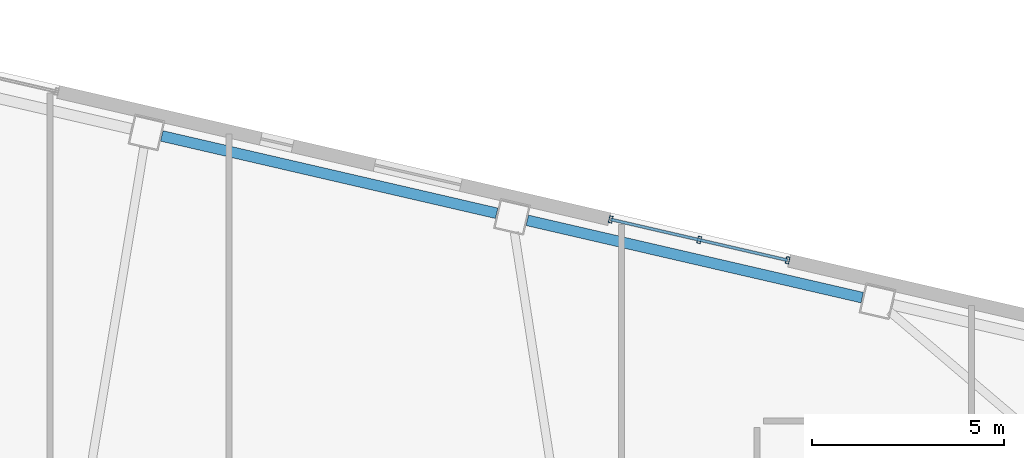
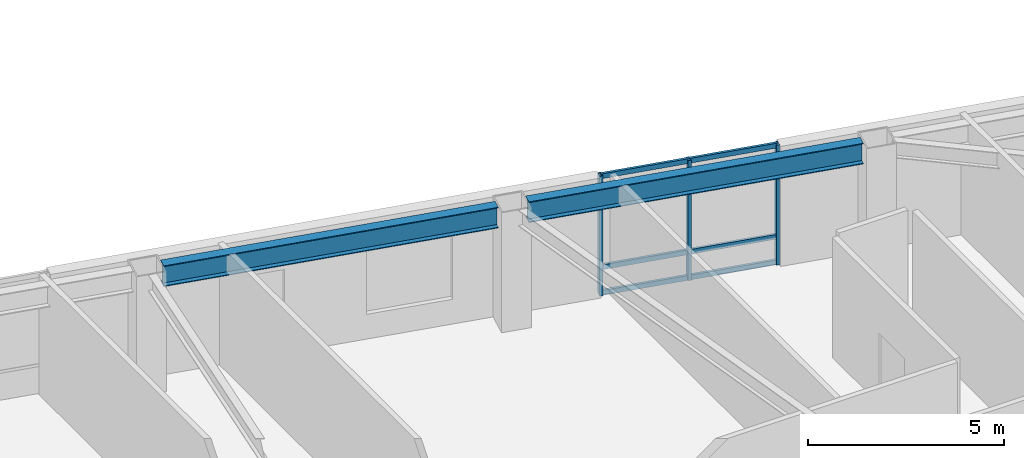
# One storey, part 8 of 21: 6 members, 2 beams, 1 element without a shape of its own.
"""IFC4 building model written with IfcOpenShell, lengths in metres."""

from ifc_helpers import new_model, si_unit, direction, frame, origin, origin_2d, place, context, subcontext, project, spatial, hollow_rectangle, i_section, extrude, material, layer, layer_set, material_profile, profile_set, type_object, element, aggregate, save


model = new_model("IFC4")

# Units and contexts
model_context = context("Model", 3, precision=1e-05, world=origin(), true_north=direction((0.0, 1.0)))
body_context = subcontext(model_context, "Body", "Model", "MODEL_VIEW")
ifc_project = project(units=[si_unit("LENGTHUNIT", "METRE"), si_unit("AREAUNIT", "SQUARE_METRE"), si_unit("VOLUMEUNIT", "CUBIC_METRE"), si_unit("PLANEANGLEUNIT", "RADIAN"), si_unit("MASSUNIT", "GRAM", prefix="KILO")], contexts=[model_context])

# Site, building, storey
site_placement = place(None, origin())
site = spatial("IfcSite", under=ifc_project, at=site_placement, CompositionType="ELEMENT")
building_placement = place(site_placement, origin())
building = spatial("IfcBuilding", under=site, at=building_placement, Name="Tavrogorsk Clinical Tower", CompositionType="ELEMENT")
storey_placement = place(building_placement, frame((0.0, 0.0, 43.39990234375)))
storey = spatial("IfcBuildingStorey", under=building, at=storey_placement, Name="L08", CompositionType="ELEMENT", Elevation=43.39990234375)

# Curtain wall, members
ifc_material_1 = material(Name="Anodised aluminium and triple IGU glazing", Category="aluminium")
ifc_layer = layer(ifc_material_1, 0.179931640625)
ifc_layer_set = layer_set([ifc_layer], Name="Anodised aluminium and triple IGU glazing")
curtain_wall_type = type_object("IfcCurtainWallType", Name="CW2_NorthSlot", PredefinedType="NOTDEFINED", material=ifc_layer_set)
curtain_wall_placement = place(storey_placement, origin())
curtain_wall = element("IfcCurtainWall", 1, at=curtain_wall_placement, inside=storey, type_object=curtain_wall_type, Name="L08 Curtain Wall CW-L08-N-SLOT-2", PredefinedType="NOTDEFINED")
ifc_material_2 = material(Name="Anodised aluminium alloy AW-6060", Category="aluminium")
ifc_material_profile_1 = material_profile(ifc_material_2, hollow_rectangle(XDim=0.090087890625, YDim=0.179931640625, WallThickness=0.00634765625, at=origin_2d()), Name="RHS-180x90x6.3")
ifc_profile_set_1 = profile_set([ifc_material_profile_1], Name="Anodised aluminium alloy AW-6060")
member_type_1 = type_object("IfcMemberType", Name="CwMullion_180x90", PredefinedType="MULLION", material=ifc_profile_set_1)
member_1_placement = place(storey_placement, frame((15.117919921875, 20.254638671875, 0.0), z_axis=(0.0, 0.0, 1.0), x_axis=(-0.974370046851, 0.224951132027, 0.0)))
member_1 = element("IfcMember", 2, at=member_1_placement, type_object=member_type_1, Name="CW-L08-N-SLOT-2 Mullion 1", PredefinedType="MULLION", context=body_context, shape_type="SweptSolid", body=[
    extrude(hollow_rectangle(XDim=0.090087890625, YDim=0.179931640625, WallThickness=0.00634765625, at=origin_2d()), origin(), (0.0, 0.0, 1.0), 3.739990234375),
])
member_2_placement = place(storey_placement, frame((12.8193359375, 20.78515625, 0.0), z_axis=(0.0, 0.0, 1.0), x_axis=(-0.974370046851, 0.224951132027, 0.0)))
member_2 = element("IfcMember", 3, at=member_2_placement, type_object=member_type_1, Name="CW-L08-N-SLOT-2 Mullion 2", PredefinedType="MULLION", context=body_context, shape_type="SweptSolid", body=[
    extrude(hollow_rectangle(XDim=0.090087890625, YDim=0.179931640625, WallThickness=0.00634765625, at=origin_2d()), origin(), (0.0, 0.0, 1.0), 3.739990234375),
])
member_3_placement = place(storey_placement, frame((10.520751953125, 21.31591796875, 0.0), z_axis=(0.0, 0.0, 1.0), x_axis=(-0.974370046851, 0.224951132027, 0.0)))
member_3 = element("IfcMember", 4, at=member_3_placement, type_object=member_type_1, Name="CW-L08-N-SLOT-2 Mullion 3", PredefinedType="MULLION", context=body_context, shape_type="SweptSolid", body=[
    extrude(hollow_rectangle(XDim=0.090087890625, YDim=0.179931640625, WallThickness=0.00634765625, at=origin_2d()), origin(), (0.0, 0.0, 1.0), 3.739990234375),
])
ifc_material_3 = material(Name="Anodised aluminium alloy AW-6060", Category="aluminium")
ifc_material_profile_2 = material_profile(ifc_material_3, hollow_rectangle(XDim=0.074951171875, YDim=0.14990234375, WallThickness=0.0048828125, at=origin_2d()), Name="RHS-150x75x5")
ifc_profile_set_2 = profile_set([ifc_material_profile_2], Name="Anodised aluminium alloy AW-6060")
member_type_2 = type_object("IfcMemberType", Name="CwTransom_150x75", PredefinedType="USERDEFINED", material=ifc_profile_set_2)
member_4_placement = place(storey_placement, frame((15.117919921875, 20.254638671875, 0.050048828125), z_axis=(-0.974372877948, 0.22493886885, 0.0), x_axis=(-0.22493886885, -0.974372877948, 0.0)))
member_4 = element("IfcMember", 5, at=member_4_placement, type_object=member_type_2, Name="CW-L08-N-SLOT-2 Transom 1", ObjectType="TRANSOM", PredefinedType="USERDEFINED", context=body_context, shape_type="SweptSolid", body=[
    extrude(hollow_rectangle(XDim=0.074951171875, YDim=0.14990234375, WallThickness=0.0048828125, at=origin_2d()), origin(), (0.0, 0.0, 1.0), 4.718017578125),
])
member_5_placement = place(storey_placement, frame((15.117919921875, 20.254638671875, 0.85009765625), z_axis=(-0.974372877948, 0.22493886885, 0.0), x_axis=(-0.22493886885, -0.974372877948, 0.0)))
member_5 = element("IfcMember", 6, at=member_5_placement, type_object=member_type_2, Name="CW-L08-N-SLOT-2 Transom 2", ObjectType="TRANSOM", PredefinedType="USERDEFINED", context=body_context, shape_type="SweptSolid", body=[
    extrude(hollow_rectangle(XDim=0.074951171875, YDim=0.14990234375, WallThickness=0.0048828125, at=origin_2d()), origin(), (0.0, 0.0, 1.0), 4.718017578125),
])
member_6_placement = place(storey_placement, frame((15.117919921875, 20.254638671875, 3.690185546875), z_axis=(-0.974372877948, 0.22493886885, 0.0), x_axis=(-0.22493886885, -0.974372877948, 0.0)))
member_6 = element("IfcMember", 7, at=member_6_placement, type_object=member_type_2, Name="CW-L08-N-SLOT-2 Transom 3", ObjectType="TRANSOM", PredefinedType="USERDEFINED", context=body_context, shape_type="SweptSolid", body=[
    extrude(hollow_rectangle(XDim=0.074951171875, YDim=0.14990234375, WallThickness=0.0048828125, at=origin_2d()), origin(), (0.0, 0.0, 1.0), 4.718017578125),
])
aggregate(curtain_wall, [member_1, member_2, member_3, member_4, member_5, member_6])

# Beams
ifc_material_4 = material(Name="Structural steel S390", Category="steel")
ifc_material_profile_3 = material_profile(ifc_material_4, i_section(OverallWidth=0.280029296875, OverallDepth=0.64990234375, WebThickness=0.01611328125, FlangeThickness=0.02490234375, at=origin_2d()), Name="B-650x280x16x25")
ifc_profile_set_3 = profile_set([ifc_material_profile_3], Name="Structural steel S390")
beam_type = type_object("IfcBeamType", Name="SpandrelBeam_B650", PredefinedType="SPANDREL", material=ifc_profile_set_3)
for number, where, z_axis, x_axis, name in (
    (8, (17.056396484375, 19.28369140625, 3.4150390625), (-0.974372766602, 0.224939351168, 0.0), (-0.224939351168, -0.974372766602, 0.0), "L08 Perimeter Spandrel N3-N4"),
    (9, (7.5576171875, 21.4765625, 3.4150390625), (-0.974366775889, 0.224965299645, 0.0), (-0.224965299645, -0.974366775889, 0.0), "L08 Perimeter Spandrel N4-N5"),
):
    element("IfcBeam", number, at=place(storey_placement, frame(where, z_axis=z_axis, x_axis=x_axis)), inside=storey, type_object=beam_type, Name=name, PredefinedType="SPANDREL", context=body_context, shape_type="SweptSolid", body=[
        extrude(i_section(OverallWidth=0.280029296875, OverallDepth=0.64990234375, WebThickness=0.01611328125, FlangeThickness=0.02490234375, at=origin_2d()), origin(), (0.0, 0.0, 1.0), 8.9326171875),
    ])

save(model, "model.ifc")
